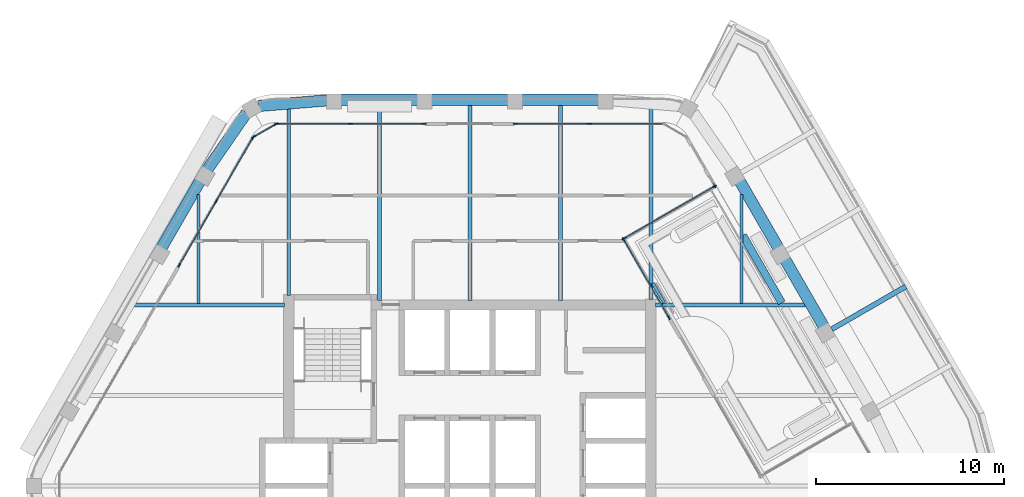
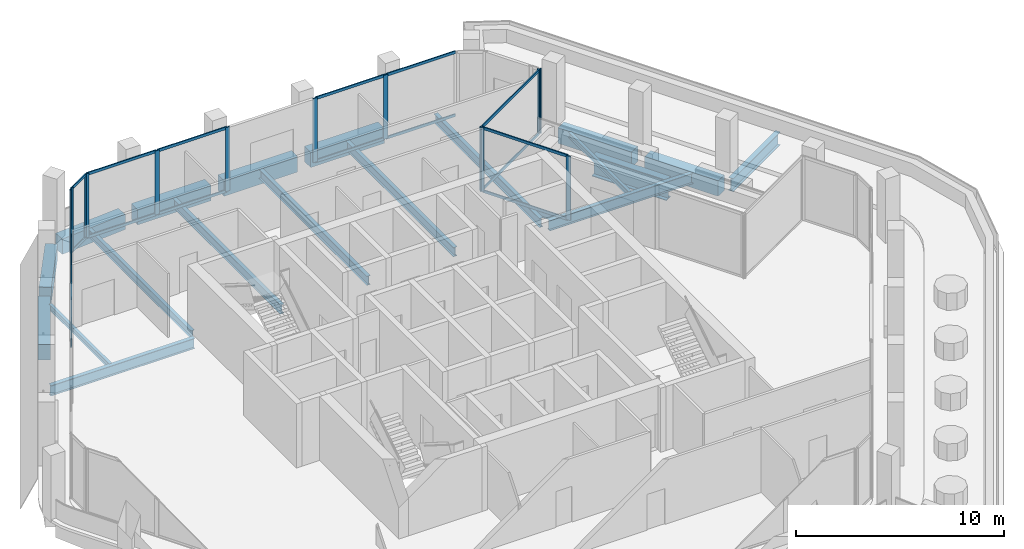
# One storey, part 6 of 17: 33 members, 20 beams, 7 elements without a shape of their own.
"""IFC4 building model written with IfcOpenShell, lengths in metres."""

from ifc_helpers import new_model, si_unit, direction, frame, origin, origin_2d, place, context, subcontext, project, spatial, rectangle, i_section, extrude, material, material_profile, profile_set, type_object, element, aggregate, save


model = new_model("IFC4")

# Units and contexts
model_context = context("Model", 3, precision=1e-05, world=origin(), true_north=direction((0.0, 1.0)))
body_context = subcontext(model_context, "Body", "Model", "MODEL_VIEW")
ifc_project = project(units=[si_unit("LENGTHUNIT", "METRE"), si_unit("AREAUNIT", "SQUARE_METRE"), si_unit("VOLUMEUNIT", "CUBIC_METRE"), si_unit("PLANEANGLEUNIT", "RADIAN"), si_unit("MASSUNIT", "GRAM", prefix="KILO")], contexts=[model_context])

# Site, building, storey
site_placement = place(None, origin())
site = spatial("IfcSite", under=ifc_project, at=site_placement, CompositionType="ELEMENT")
building_placement = place(site_placement, origin())
building = spatial("IfcBuilding", under=site, at=building_placement, Name="Kolab Exchange Tower", CompositionType="ELEMENT")
storey_placement = place(building_placement, frame((0.0, 0.0, 285.199951171875)))
storey = spatial("IfcBuildingStorey", under=building, at=storey_placement, Name="L64", CompositionType="ELEMENT", Elevation=285.199951171875)

# Beams
ifc_material_1 = material(Name="Steel S355", Category="steel")
ifc_material_profile_1 = material_profile(ifc_material_1, i_section(OverallWidth=0.39990234375, OverallDepth=1.199951171875, WebThickness=0.02490234375, FlangeThickness=0.0400390625, at=origin_2d()), Name="PG1200X400")
ifc_profile_set_1 = profile_set([ifc_material_profile_1], Name="Steel S355")
beam_type_1 = type_object("IfcBeamType", Name="FLOOR BEAM PG1200X400", PredefinedType="BEAM", material=ifc_profile_set_1)
beam_1_placement = place(storey_placement, frame((14.482421875, 13.286865234375, -0.75), z_axis=(0.500046874698, -0.865998338974, 0.0), x_axis=(0.865998338974, 0.500046874698, 0.0)))
element("IfcBeam", 1, at=beam_1_placement, inside=storey, type_object=beam_type_1, Name="beam/L64/fr/023", PredefinedType="BEAM", context=body_context, shape_type="SweptSolid", body=[
    extrude(i_section(OverallWidth=0.39990234375, OverallDepth=1.199951171875, WebThickness=0.02490234375, FlangeThickness=0.0400390625, at=origin_2d()), origin(), (0.0, 0.0, 1.0), 4.12548828125),
])
ifc_material_profile_2 = material_profile(ifc_material_1, i_section(OverallWidth=0.1650390625, OverallDepth=0.31005859375, WebThickness=0.005859375, FlangeThickness=0.009765625, at=origin_2d()), Name="W310X39")
ifc_profile_set_2 = profile_set([ifc_material_profile_2], Name="Steel S355")
beam_type_2 = type_object("IfcBeamType", Name="FLOOR BEAM W310X39", PredefinedType="BEAM", material=ifc_profile_set_2)
beam_2_placement = place(storey_placement, frame((-14.39990234375, 9.674072265625, -0.304931640625), z_axis=(0.0, 1.0, 0.0), x_axis=(-1.0, 0.0, 0.0)))
element("IfcBeam", 2, at=beam_2_placement, inside=storey, type_object=beam_type_2, Name="beam/L64/fr/004", PredefinedType="BEAM", context=body_context, shape_type="SweptSolid", body=[
    extrude(i_section(OverallWidth=0.1650390625, OverallDepth=0.31005859375, WebThickness=0.005859375, FlangeThickness=0.009765625, at=origin_2d()), origin(), (0.0, 0.0, 1.0), 5.793701171875),
])
beam_3_placement = place(storey_placement, frame((9.70458984375, 10.758544921875, -0.304931640625), z_axis=(0.500014506688, -0.866017028182, 0.0), x_axis=(0.866017028182, 0.500014506688, 0.0)))
element("IfcBeam", 3, at=beam_3_placement, inside=storey, type_object=beam_type_2, Name="beam/L64/fr/015", PredefinedType="BEAM", context=body_context, shape_type="SweptSolid", body=[
    extrude(i_section(OverallWidth=0.1650390625, OverallDepth=0.31005859375, WebThickness=0.005859375, FlangeThickness=0.009765625, at=origin_2d()), origin(), (0.0, 0.0, 1.0), 1.2060546875),
])
beam_4_placement = place(storey_placement, frame((14.39990234375, 9.674072265625, -0.304931640625), z_axis=(0.0, 1.0, 0.0), x_axis=(-1.0, 0.0, 0.0)))
element("IfcBeam", 4, at=beam_4_placement, inside=storey, type_object=beam_type_2, Name="beam/L64/fr/022", PredefinedType="BEAM", context=body_context, shape_type="SweptSolid", body=[
    extrude(i_section(OverallWidth=0.1650390625, OverallDepth=0.31005859375, WebThickness=0.005859375, FlangeThickness=0.009765625, at=origin_2d()), origin(), (0.0, 0.0, 1.0), 5.793701171875),
])
ifc_material_profile_3 = material_profile(ifc_material_1, i_section(OverallWidth=0.18994140625, OverallDepth=0.45703125, WebThickness=0.009033203125, FlangeThickness=0.014404296875, at=origin_2d()), Name="W460X74")
ifc_profile_set_3 = profile_set([ifc_material_profile_3], Name="Steel S355")
beam_type_3 = type_object("IfcBeamType", Name="FLOOR BEAM W460X74", PredefinedType="BEAM", material=ifc_profile_set_3)
beam_5_placement = place(storey_placement, frame((-9.60009765625, 10.110107421875, -0.37841796875), z_axis=(0.0, 1.0, 0.0), x_axis=(-1.0, 0.0, 0.0)))
element("IfcBeam", 5, at=beam_5_placement, inside=storey, type_object=beam_type_3, Name="beam/L64/fr/006", PredefinedType="BEAM", context=body_context, shape_type="SweptSolid", body=[
    extrude(i_section(OverallWidth=0.18994140625, OverallDepth=0.45703125, WebThickness=0.009033203125, FlangeThickness=0.014404296875, at=origin_2d()), origin(), (0.0, 0.0, 1.0), 9.9169921875),
])
ifc_material_profile_4 = material_profile(ifc_material_1, i_section(OverallWidth=0.208984375, OverallDepth=0.532958984375, WebThickness=0.01025390625, FlangeThickness=0.015625, at=origin_2d()), Name="W530X92")
ifc_profile_set_4 = profile_set([ifc_material_profile_4], Name="Steel S355")
beam_type_4 = type_object("IfcBeamType", Name="FLOOR BEAM W530X92", PredefinedType="BEAM", material=ifc_profile_set_4)
for number, where, z_axis, x_axis, name in (
    (6, (-4.800048828125, 9.8349609375, -0.41650390625), (0.0, 1.0, 0.0), (-1.0, 0.0, 0.0), "beam/L64/fr/008"),
    (7, (0.0, 9.8349609375, -0.41650390625), (0.0, 1.0, 0.0), (-1.0, 0.0, 0.0), "beam/L64/fr/010"),
    (8, (4.800048828125, 9.8349609375, -0.41650390625), (0.0, 1.0, 0.0), (-1.0, 0.0, 0.0), "beam/L64/fr/012"),
):
    element("IfcBeam", number, at=place(storey_placement, frame(where, z_axis=z_axis, x_axis=x_axis)), inside=storey, type_object=beam_type_4, Name=name, PredefinedType="BEAM", context=body_context, shape_type="SweptSolid", body=[
        extrude(i_section(OverallWidth=0.208984375, OverallDepth=0.532958984375, WebThickness=0.01025390625, FlangeThickness=0.015625, at=origin_2d()), origin(), (0.0, 0.0, 1.0), 10.3896484375),
    ])
beam_6_placement = place(storey_placement, frame((9.60009765625, 9.885009765625, -0.41650390625), z_axis=(0.0, 1.0, 0.0), x_axis=(-1.0, 0.0, 0.0)))
element("IfcBeam", 9, at=beam_6_placement, inside=storey, type_object=beam_type_4, Name="beam/L64/fr/014", PredefinedType="BEAM", context=body_context, shape_type="SweptSolid", body=[
    extrude(i_section(OverallWidth=0.208984375, OverallDepth=0.532958984375, WebThickness=0.01025390625, FlangeThickness=0.015625, at=origin_2d()), origin(), (0.0, 0.0, 1.0), 10.14208984375),
])
ifc_material_profile_5 = material_profile(ifc_material_1, i_section(OverallWidth=0.22802734375, OverallDepth=0.60791015625, WebThickness=0.01123046875, FlangeThickness=0.017333984375, at=origin_2d()), Name="W610X113")
ifc_profile_set_5 = profile_set([ifc_material_profile_5], Name="Steel S355")
beam_type_5 = type_object("IfcBeamType", Name="FLOOR GIRDER W610X113", PredefinedType="BEAM", material=ifc_profile_set_5)
for number, where, z_axis, x_axis, name in (
    (10, (-17.8046875, 9.60009765625, -0.453857421875), (1.0, 0.0, 0.0), (0.0, 1.0, 0.0), "beam/L64/gd/001"),
    (11, (9.8349609375, 9.60009765625, -0.453857421875), (1.0, 0.0, 0.0), (0.0, 1.0, 0.0), "beam/L64/gd/003"),
):
    element("IfcBeam", number, at=place(storey_placement, frame(where, z_axis=z_axis, x_axis=x_axis)), inside=storey, type_object=beam_type_5, Name=name, PredefinedType="BEAM", context=body_context, shape_type="SweptSolid", body=[
        extrude(i_section(OverallWidth=0.22802734375, OverallDepth=0.60791015625, WebThickness=0.01123046875, FlangeThickness=0.017333984375, at=origin_2d()), origin(), (0.0, 0.0, 1.0), 7.9697265625),
    ])
ifc_material_profile_6 = material_profile(ifc_material_1, i_section(OverallWidth=0.26708984375, OverallDepth=0.761962890625, WebThickness=0.014404296875, FlangeThickness=0.021484375, at=origin_2d()), Name="W760X173")
ifc_profile_set_6 = profile_set([ifc_material_profile_6], Name="Steel S355")
beam_type_6 = type_object("IfcBeamType", Name="FLOOR GIRDER W760X173", PredefinedType="BEAM", material=ifc_profile_set_6)
beam_7_placement = place(storey_placement, frame((19.199951171875, 8.313720703125, -0.591064453125), z_axis=(0.866020560687, 0.500008388397, 0.0), x_axis=(-0.500008388397, 0.866020560687, 0.0)))
element("IfcBeam", 12, at=beam_7_placement, inside=storey, type_object=beam_type_6, Name="beam/L64/ledge/rib-03", PredefinedType="BEAM", context=body_context, shape_type="SweptSolid", body=[
    extrude(i_section(OverallWidth=0.26708984375, OverallDepth=0.761962890625, WebThickness=0.014404296875, FlangeThickness=0.021484375, at=origin_2d()), origin(), (0.0, 0.0, 1.0), 4.533203125),
])
ifc_material_2 = material(Name="Concrete C50/60", Category="concrete")
ifc_material_profile_7 = material_profile(ifc_material_2, rectangle(XDim=0.60009765625, YDim=0.89990234375, at=origin_2d()), Name="RC600X900")
ifc_profile_set_7 = profile_set([ifc_material_profile_7], Name="Concrete C50/60")
beam_type_7 = type_object("IfcBeamType", Name="SPANDREL BEAM 600X900 C50/60", PredefinedType="BEAM", material=ifc_profile_set_7)
beam_8_placement = place(storey_placement, frame((-11.216796875, 20.15576171875, -0.599853515625), z_axis=(0.996666751878, 0.081580547323, 0.0), x_axis=(-0.081580547323, 0.996666751878, 0.0)))
element("IfcBeam", 13, at=beam_8_placement, inside=storey, type_object=beam_type_7, Name="beam/L64/sp/F1-01", PredefinedType="BEAM", context=body_context, shape_type="SweptSolid", body=[
    extrude(rectangle(XDim=0.60009765625, YDim=0.89990234375, at=origin_2d()), origin(), (0.0, 0.0, 1.0), 3.6689453125),
])
for number, where, z_axis, x_axis, name in (
    (14, (-6.840087890625, 20.484619140625, -0.599853515625), (1.0, 0.0, 0.0), (0.0, 1.0, 0.0), "beam/L64/sp/F1-02"),
    (15, (-2.0400390625, 20.484619140625, -0.599853515625), (1.0, 0.0, 0.0), (0.0, 1.0, 0.0), "beam/L64/sp/F1-03"),
    (16, (2.760009765625, 20.484619140625, -0.599853515625), (1.0, 0.0, 0.0), (0.0, 1.0, 0.0), "beam/L64/sp/F1-04"),
):
    element("IfcBeam", number, at=place(storey_placement, frame(where, z_axis=z_axis, x_axis=x_axis)), inside=storey, type_object=beam_type_7, Name=name, PredefinedType="BEAM", context=body_context, shape_type="SweptSolid", body=[
        extrude(rectangle(XDim=0.60009765625, YDim=0.89990234375, at=origin_2d()), origin(), (0.0, 0.0, 1.0), 4.080078125),
    ])
beam_9_placement = place(storey_placement, frame((14.3203125, 16.166015625, -0.599853515625), z_axis=(0.499955548806, -0.866051066172, 0.0), x_axis=(0.866051066172, 0.499955548806, 0.0)))
element("IfcBeam", 17, at=beam_9_placement, inside=storey, type_object=beam_type_7, Name="beam/L64/sp/F2-02", PredefinedType="BEAM", context=body_context, shape_type="SweptSolid", body=[
    extrude(rectangle(XDim=0.60009765625, YDim=0.89990234375, at=origin_2d()), origin(), (0.0, 0.0, 1.0), 4.079833984375),
])
beam_10_placement = place(storey_placement, frame((16.72021484375, 12.009033203125, -0.599853515625), z_axis=(0.500000428765, -0.866025156237, 0.0), x_axis=(0.866025156237, 0.500000428765, 0.0)))
element("IfcBeam", 18, at=beam_10_placement, inside=storey, type_object=beam_type_7, Name="beam/L64/sp/F2-03", PredefinedType="BEAM", context=body_context, shape_type="SweptSolid", body=[
    extrude(rectangle(XDim=0.60009765625, YDim=0.89990234375, at=origin_2d()), origin(), (0.0, 0.0, 1.0), 4.080078125),
])
beam_11_placement = place(storey_placement, frame((-16.360107421875, 12.632568359375, -0.599853515625), z_axis=(0.499955548806, 0.866051066172, 0.0), x_axis=(-0.866051066172, 0.499955548806, 0.0)))
element("IfcBeam", 19, at=beam_11_placement, inside=storey, type_object=beam_type_7, Name="beam/L64/sp/F6-04", PredefinedType="BEAM", context=body_context, shape_type="SweptSolid", body=[
    extrude(rectangle(XDim=0.60009765625, YDim=0.89990234375, at=origin_2d()), origin(), (0.0, 0.0, 1.0), 4.079833984375),
])
beam_12_placement = place(storey_placement, frame((-13.9345703125, 16.77490234375, -0.599853515625), z_axis=(0.569005808573, 0.822333502789, 0.0), x_axis=(-0.822333502789, 0.569005808573, 0.0)))
element("IfcBeam", 20, at=beam_12_placement, inside=storey, type_object=beam_type_7, Name="beam/L64/sp/F6-05", PredefinedType="BEAM", context=body_context, shape_type="SweptSolid", body=[
    extrude(rectangle(XDim=0.60009765625, YDim=0.89990234375, at=origin_2d()), origin(), (0.0, 0.0, 1.0), 3.6689453125),
])

# Curtain wall, members
ifc_material_3 = material(Name="Aluminium EN AW-6063 T6", Category="aluminium")
curtain_wall_type = type_object("IfcCurtainWallType", Name="UNITISED HIGH ZONE CURTAIN WALL", PredefinedType="NOTDEFINED", material=ifc_material_3)
curtain_wall_1_placement = place(storey_placement, origin())
curtain_wall_1 = element("IfcCurtainWall", 21, at=curtain_wall_1_placement, inside=storey, type_object=curtain_wall_type, Name="cw/L64/F1-1", PredefinedType="NOTDEFINED")
ifc_material_profile_8 = material_profile(ifc_material_3, rectangle(XDim=0.06005859375, YDim=0.239990234375, at=origin_2d()), Name="RECT 60X240")
ifc_profile_set_8 = profile_set([ifc_material_profile_8], Name="Aluminium EN AW-6063 T6")
member_type_1 = type_object("IfcMemberType", Name="UNITISED HIGH ZONE MULLION 60 X 240", PredefinedType="MULLION", material=ifc_profile_set_8)
member_1_placement = place(storey_placement, frame((-10.238037109375, 19.20458984375, 0.0), z_axis=(0.0, 0.0, 1.0), x_axis=(0.0, 1.0, 0.0)))
member_1 = element("IfcMember", 22, at=member_1_placement, type_object=member_type_1, Name="CW4 mullion 1", PredefinedType="MULLION", context=body_context, shape_type="SweptSolid", body=[
    extrude(rectangle(XDim=0.06005859375, YDim=0.239990234375, at=origin_2d()), origin(), (0.0, 0.0, 1.0), 3.75),
])
member_2_placement = place(storey_placement, frame((-6.333984375, 19.20458984375, 0.0), z_axis=(0.0, 0.0, 1.0), x_axis=(0.0, 1.0, 0.0)))
member_2 = element("IfcMember", 23, at=member_2_placement, type_object=member_type_1, Name="CW4 mullion 2", PredefinedType="MULLION", context=body_context, shape_type="SweptSolid", body=[
    extrude(rectangle(XDim=0.06005859375, YDim=0.239990234375, at=origin_2d()), origin(), (0.0, 0.0, 1.0), 3.75),
])
member_3_placement = place(storey_placement, frame((-2.429931640625, 19.20458984375, 0.0), z_axis=(0.0, 0.0, 1.0), x_axis=(0.0, 1.0, 0.0)))
member_3 = element("IfcMember", 24, at=member_3_placement, type_object=member_type_1, Name="CW4 mullion 3", PredefinedType="MULLION", context=body_context, shape_type="SweptSolid", body=[
    extrude(rectangle(XDim=0.06005859375, YDim=0.239990234375, at=origin_2d()), origin(), (0.0, 0.0, 1.0), 3.75),
])

curtain_wall_2_placement = place(storey_placement, origin())
curtain_wall_2 = element("IfcCurtainWall", 25, at=curtain_wall_2_placement, inside=storey, type_object=curtain_wall_type, Name="cw/L64/F1-2", PredefinedType="NOTDEFINED")
member_4_placement = place(storey_placement, frame((2.429931640625, 19.20458984375, 0.0), z_axis=(0.0, 0.0, 1.0), x_axis=(0.0, 1.0, 0.0)))
member_4 = element("IfcMember", 26, at=member_4_placement, type_object=member_type_1, Name="CW4 mullion 1", PredefinedType="MULLION", context=body_context, shape_type="SweptSolid", body=[
    extrude(rectangle(XDim=0.06005859375, YDim=0.239990234375, at=origin_2d()), origin(), (0.0, 0.0, 1.0), 3.75),
])
member_5_placement = place(storey_placement, frame((6.333984375, 19.20458984375, 0.0), z_axis=(0.0, 0.0, 1.0), x_axis=(0.0, 1.0, 0.0)))
member_5 = element("IfcMember", 27, at=member_5_placement, type_object=member_type_1, Name="CW4 mullion 2", PredefinedType="MULLION", context=body_context, shape_type="SweptSolid", body=[
    extrude(rectangle(XDim=0.06005859375, YDim=0.239990234375, at=origin_2d()), origin(), (0.0, 0.0, 1.0), 3.75),
])

# Curtain wall, member
curtain_wall_3_placement = place(storey_placement, origin())
curtain_wall_3 = element("IfcCurtainWall", 28, at=curtain_wall_3_placement, inside=storey, type_object=curtain_wall_type, Name="cw/L64/F2-l-1", PredefinedType="NOTDEFINED")
member_6_placement = place(storey_placement, frame((12.9765625, 15.932861328125, 0.0), z_axis=(0.0, 0.0, 1.0), x_axis=(0.866025350788, 0.500000091793, 0.0)))
member_6 = element("IfcMember", 29, at=member_6_placement, type_object=member_type_1, Name="CW4 mullion 2", PredefinedType="MULLION", context=body_context, shape_type="SweptSolid", body=[
    extrude(rectangle(XDim=0.06005859375, YDim=0.239990234375, at=origin_2d()), origin(), (0.0, 0.0, 1.0), 3.75),
])
aggregate(curtain_wall_3, [member_6])

# Curtain wall, members
curtain_wall_4_placement = place(storey_placement, origin())
curtain_wall_4 = element("IfcCurtainWall", 30, at=curtain_wall_4_placement, inside=storey, type_object=curtain_wall_type, Name="cw/L64/F2-rl-1", PredefinedType="NOTDEFINED")
member_7_placement = place(storey_placement, frame((12.9658203125, 15.89208984375, 0.0), z_axis=(0.0, 0.0, 1.0), x_axis=(0.500000020194, -0.866025392126, 0.0)))
member_7 = element("IfcMember", 31, at=member_7_placement, type_object=member_type_1, Name="CW4 mullion 1", PredefinedType="MULLION", context=body_context, shape_type="SweptSolid", body=[
    extrude(rectangle(XDim=0.06005859375, YDim=0.239990234375, at=origin_2d()), origin(), (0.0, 0.0, 1.0), 3.75),
])
member_8_placement = place(storey_placement, frame((8.16796875, 13.1220703125, 0.0), z_axis=(0.0, 0.0, 1.0), x_axis=(0.500000020194, -0.866025392126, 0.0)))
member_8 = element("IfcMember", 32, at=member_8_placement, type_object=member_type_1, Name="CW4 mullion 2", PredefinedType="MULLION", context=body_context, shape_type="SweptSolid", body=[
    extrude(rectangle(XDim=0.06005859375, YDim=0.239990234375, at=origin_2d()), origin(), (0.0, 0.0, 1.0), 3.75),
])

curtain_wall_5_placement = place(storey_placement, origin())
curtain_wall_5 = element("IfcCurtainWall", 33, at=curtain_wall_5_placement, inside=storey, type_object=curtain_wall_type, Name="cw/L64/F2-back-1", PredefinedType="NOTDEFINED")
member_9_placement = place(storey_placement, frame((8.156982421875, 13.0810546875, 0.0), z_axis=(0.0, 0.0, 1.0), x_axis=(0.866025376121, 0.500000047915, 0.0)))
member_9 = element("IfcMember", 34, at=member_9_placement, type_object=member_type_1, Name="CW4 mullion 1", PredefinedType="MULLION", context=body_context, shape_type="SweptSolid", body=[
    extrude(rectangle(XDim=0.06005859375, YDim=0.239990234375, at=origin_2d()), origin(), (0.0, 0.0, 1.0), 3.75),
])
member_10_placement = place(storey_placement, frame((10.5537109375, 8.929931640625, 0.0), z_axis=(0.0, 0.0, 1.0), x_axis=(0.866025376121, 0.500000047915, 0.0)))
member_10 = element("IfcMember", 35, at=member_10_placement, type_object=member_type_1, Name="CW4 mullion 2", PredefinedType="MULLION", context=body_context, shape_type="SweptSolid", body=[
    extrude(rectangle(XDim=0.06005859375, YDim=0.239990234375, at=origin_2d()), origin(), (0.0, 0.0, 1.0), 3.75),
])

curtain_wall_6_placement = place(storey_placement, origin())
curtain_wall_6 = element("IfcCurtainWall", 36, at=curtain_wall_6_placement, inside=storey, type_object=curtain_wall_type, Name="cw/L64/F6-2", PredefinedType="NOTDEFINED")
member_11_placement = place(storey_placement, frame((-15.416748046875, 11.706787109375, 0.0), z_axis=(0.0, 0.0, 1.0), x_axis=(-0.866025385493, 0.500000031681, 0.0)))
member_11 = element("IfcMember", 37, at=member_11_placement, type_object=member_type_1, Name="CW4 mullion 1", PredefinedType="MULLION", context=body_context, shape_type="SweptSolid", body=[
    extrude(rectangle(XDim=0.06005859375, YDim=0.239990234375, at=origin_2d()), origin(), (0.0, 0.0, 1.0), 3.75),
])
member_12_placement = place(storey_placement, frame((-13.464599609375, 15.087646484375, 0.0), z_axis=(0.0, 0.0, 1.0), x_axis=(-0.866025385493, 0.500000031681, 0.0)))
member_12 = element("IfcMember", 38, at=member_12_placement, type_object=member_type_1, Name="CW4 mullion 2", PredefinedType="MULLION", context=body_context, shape_type="SweptSolid", body=[
    extrude(rectangle(XDim=0.06005859375, YDim=0.239990234375, at=origin_2d()), origin(), (0.0, 0.0, 1.0), 3.75),
])
member_13_placement = place(storey_placement, frame((-11.5126953125, 18.46875, 0.0), z_axis=(0.0, 0.0, 1.0), x_axis=(-0.866025385493, 0.500000031681, 0.0)))
member_13 = element("IfcMember", 39, at=member_13_placement, type_object=member_type_1, Name="CW4 mullion 3", PredefinedType="MULLION", context=body_context, shape_type="SweptSolid", body=[
    extrude(rectangle(XDim=0.06005859375, YDim=0.239990234375, at=origin_2d()), origin(), (0.0, 0.0, 1.0), 3.75),
])

curtain_wall_7_placement = place(storey_placement, origin())
curtain_wall_7 = element("IfcCurtainWall", 40, at=curtain_wall_7_placement, inside=storey, type_object=curtain_wall_type, Name="cw/L64/F6F1-corner", PredefinedType="NOTDEFINED")
member_14_placement = place(storey_placement, frame((-11.4716796875, 18.509521484375, 0.0), z_axis=(0.0, 0.0, 1.0), x_axis=(-0.50000002237, 0.866025390869, 0.0)))
member_14 = element("IfcMember", 41, at=member_14_placement, type_object=member_type_1, Name="CW4 mullion 1", PredefinedType="MULLION", context=body_context, shape_type="SweptSolid", body=[
    extrude(rectangle(XDim=0.06005859375, YDim=0.239990234375, at=origin_2d()), origin(), (0.0, 0.0, 1.0), 3.75),
])
member_15_placement = place(storey_placement, frame((-10.2939453125, 19.189697265625, 0.0), z_axis=(0.0, 0.0, 1.0), x_axis=(-0.50000002237, 0.866025390869, 0.0)))
member_15 = element("IfcMember", 42, at=member_15_placement, type_object=member_type_1, Name="CW4 mullion 2", PredefinedType="MULLION", context=body_context, shape_type="SweptSolid", body=[
    extrude(rectangle(XDim=0.06005859375, YDim=0.239990234375, at=origin_2d()), origin(), (0.0, 0.0, 1.0), 3.75),
])

# Member
ifc_material_profile_9 = material_profile(ifc_material_3, rectangle(XDim=0.06005859375, YDim=0.159912109375, at=origin_2d()), Name="RECT 60X160")
ifc_profile_set_9 = profile_set([ifc_material_profile_9], Name="Aluminium EN AW-6063 T6")
member_type_2 = type_object("IfcMemberType", Name="UNITISED HIGH ZONE TRANSOM 60 X 160", PredefinedType="USERDEFINED", material=ifc_profile_set_9)
member_16_placement = place(storey_placement, frame((-10.2080078125, 19.20458984375, 0.030029296875), z_axis=(1.0, 0.0, 0.0), x_axis=(0.0, 1.0, 0.0)))
member_16 = element("IfcMember", 43, at=member_16_placement, type_object=member_type_2, Name="CW4 transom 1.1", ObjectType="TRANSOM", PredefinedType="USERDEFINED", context=body_context, shape_type="SweptSolid", body=[
    extrude(rectangle(XDim=0.06005859375, YDim=0.159912109375, at=origin_2d()), origin(), (0.0, 0.0, 1.0), 3.843994140625),
])

member_17_placement = place(storey_placement, frame((-10.2080078125, 19.20458984375, 3.719970703125), z_axis=(1.0, 0.0, 0.0), x_axis=(0.0, 1.0, 0.0)))
member_17 = element("IfcMember", 44, at=member_17_placement, type_object=member_type_2, Name="CW4 transom 1.2", ObjectType="TRANSOM", PredefinedType="USERDEFINED", context=body_context, shape_type="SweptSolid", body=[
    extrude(rectangle(XDim=0.06005859375, YDim=0.159912109375, at=origin_2d()), origin(), (0.0, 0.0, 1.0), 3.843994140625),
])

member_18_placement = place(storey_placement, frame((-6.303955078125, 19.20458984375, 0.030029296875), z_axis=(1.0, 0.0, 0.0), x_axis=(0.0, 1.0, 0.0)))
member_18 = element("IfcMember", 45, at=member_18_placement, type_object=member_type_2, Name="CW4 transom 2.1", ObjectType="TRANSOM", PredefinedType="USERDEFINED", context=body_context, shape_type="SweptSolid", body=[
    extrude(rectangle(XDim=0.06005859375, YDim=0.159912109375, at=origin_2d()), origin(), (0.0, 0.0, 1.0), 3.843994140625),
])

member_19_placement = place(storey_placement, frame((-6.303955078125, 19.20458984375, 3.719970703125), z_axis=(1.0, 0.0, 0.0), x_axis=(0.0, 1.0, 0.0)))
member_19 = element("IfcMember", 46, at=member_19_placement, type_object=member_type_2, Name="CW4 transom 2.2", ObjectType="TRANSOM", PredefinedType="USERDEFINED", context=body_context, shape_type="SweptSolid", body=[
    extrude(rectangle(XDim=0.06005859375, YDim=0.159912109375, at=origin_2d()), origin(), (0.0, 0.0, 1.0), 3.843994140625),
])

aggregate(curtain_wall_1, [member_1, member_2, member_3, member_16, member_17, member_18, member_19])

member_20_placement = place(storey_placement, frame((2.4599609375, 19.20458984375, 0.030029296875), z_axis=(1.0, 0.0, 0.0), x_axis=(0.0, 1.0, 0.0)))
member_20 = element("IfcMember", 47, at=member_20_placement, type_object=member_type_2, Name="CW4 transom 1.1", ObjectType="TRANSOM", PredefinedType="USERDEFINED", context=body_context, shape_type="SweptSolid", body=[
    extrude(rectangle(XDim=0.06005859375, YDim=0.159912109375, at=origin_2d()), origin(), (0.0, 0.0, 1.0), 3.843994140625),
])

member_21_placement = place(storey_placement, frame((2.4599609375, 19.20458984375, 3.719970703125), z_axis=(1.0, 0.0, 0.0), x_axis=(0.0, 1.0, 0.0)))
member_21 = element("IfcMember", 48, at=member_21_placement, type_object=member_type_2, Name="CW4 transom 1.2", ObjectType="TRANSOM", PredefinedType="USERDEFINED", context=body_context, shape_type="SweptSolid", body=[
    extrude(rectangle(XDim=0.06005859375, YDim=0.159912109375, at=origin_2d()), origin(), (0.0, 0.0, 1.0), 3.843994140625),
])

member_22_placement = place(storey_placement, frame((6.364013671875, 19.20458984375, 0.030029296875), z_axis=(1.0, 0.0, 0.0), x_axis=(0.0, 1.0, 0.0)))
member_22 = element("IfcMember", 49, at=member_22_placement, type_object=member_type_2, Name="CW4 transom 2.1", ObjectType="TRANSOM", PredefinedType="USERDEFINED", context=body_context, shape_type="SweptSolid", body=[
    extrude(rectangle(XDim=0.06005859375, YDim=0.159912109375, at=origin_2d()), origin(), (0.0, 0.0, 1.0), 3.843994140625),
])

member_23_placement = place(storey_placement, frame((6.364013671875, 19.20458984375, 3.719970703125), z_axis=(1.0, 0.0, 0.0), x_axis=(0.0, 1.0, 0.0)))
member_23 = element("IfcMember", 50, at=member_23_placement, type_object=member_type_2, Name="CW4 transom 2.2", ObjectType="TRANSOM", PredefinedType="USERDEFINED", context=body_context, shape_type="SweptSolid", body=[
    extrude(rectangle(XDim=0.06005859375, YDim=0.159912109375, at=origin_2d()), origin(), (0.0, 0.0, 1.0), 3.843994140625),
])

aggregate(curtain_wall_2, [member_4, member_5, member_20, member_21, member_22, member_23])

member_24_placement = place(storey_placement, frame((12.939697265625, 15.876953125, 0.030029296875), z_axis=(-0.866027562125, -0.499996261625, 0.0), x_axis=(0.499996261625, -0.866027562125, 0.0)))
member_24 = element("IfcMember", 51, at=member_24_placement, type_object=member_type_2, Name="CW4 transom 1.1", ObjectType="TRANSOM", PredefinedType="USERDEFINED", context=body_context, shape_type="SweptSolid", body=[
    extrude(rectangle(XDim=0.06005859375, YDim=0.159912109375, at=origin_2d()), origin(), (0.0, 0.0, 1.0), 5.47998046875),
])

member_25_placement = place(storey_placement, frame((12.939697265625, 15.876953125, 3.719970703125), z_axis=(-0.866027562125, -0.499996261625, 0.0), x_axis=(0.499996261625, -0.866027562125, 0.0)))
member_25 = element("IfcMember", 52, at=member_25_placement, type_object=member_type_2, Name="CW4 transom 1.2", ObjectType="TRANSOM", PredefinedType="USERDEFINED", context=body_context, shape_type="SweptSolid", body=[
    extrude(rectangle(XDim=0.06005859375, YDim=0.159912109375, at=origin_2d()), origin(), (0.0, 0.0, 1.0), 5.47998046875),
])

aggregate(curtain_wall_4, [member_7, member_8, member_24, member_25])

member_26_placement = place(storey_placement, frame((8.171875, 13.054931640625, 0.030029296875), z_axis=(0.500011179042, -0.866018949465, 0.0), x_axis=(0.866018949465, 0.500011179042, 0.0)))
member_26 = element("IfcMember", 53, at=member_26_placement, type_object=member_type_2, Name="CW4 transom 1.1", ObjectType="TRANSOM", PredefinedType="USERDEFINED", context=body_context, shape_type="SweptSolid", body=[
    extrude(rectangle(XDim=0.06005859375, YDim=0.159912109375, at=origin_2d()), origin(), (0.0, 0.0, 1.0), 4.7333984375),
])

member_27_placement = place(storey_placement, frame((8.171875, 13.054931640625, 3.719970703125), z_axis=(0.500011179042, -0.866018949465, 0.0), x_axis=(0.866018949465, 0.500011179042, 0.0)))
member_27 = element("IfcMember", 54, at=member_27_placement, type_object=member_type_2, Name="CW4 transom 1.2", ObjectType="TRANSOM", PredefinedType="USERDEFINED", context=body_context, shape_type="SweptSolid", body=[
    extrude(rectangle(XDim=0.06005859375, YDim=0.159912109375, at=origin_2d()), origin(), (0.0, 0.0, 1.0), 4.7333984375),
])

aggregate(curtain_wall_5, [member_9, member_10, member_26, member_27])

member_28_placement = place(storey_placement, frame((-15.401611328125, 11.732666015625, 0.030029296875), z_axis=(0.499964356602, 0.866045981532, 0.0), x_axis=(-0.866045981532, 0.499964356602, 0.0)))
member_28 = element("IfcMember", 55, at=member_28_placement, type_object=member_type_2, Name="CW4 transom 1.1", ObjectType="TRANSOM", PredefinedType="USERDEFINED", context=body_context, shape_type="SweptSolid", body=[
    extrude(rectangle(XDim=0.06005859375, YDim=0.159912109375, at=origin_2d()), origin(), (0.0, 0.0, 1.0), 3.843994140625),
])

member_29_placement = place(storey_placement, frame((-15.401611328125, 11.732666015625, 3.719970703125), z_axis=(0.499964356602, 0.866045981532, 0.0), x_axis=(-0.866045981532, 0.499964356602, 0.0)))
member_29 = element("IfcMember", 56, at=member_29_placement, type_object=member_type_2, Name="CW4 transom 1.2", ObjectType="TRANSOM", PredefinedType="USERDEFINED", context=body_context, shape_type="SweptSolid", body=[
    extrude(rectangle(XDim=0.06005859375, YDim=0.159912109375, at=origin_2d()), origin(), (0.0, 0.0, 1.0), 3.843994140625),
])

member_30_placement = place(storey_placement, frame((-13.44970703125, 15.11376953125, 0.030029296875), z_axis=(0.500039492609, 0.866002601515, 0.0), x_axis=(-0.866002601515, 0.500039492609, 0.0)))
member_30 = element("IfcMember", 57, at=member_30_placement, type_object=member_type_2, Name="CW4 transom 2.1", ObjectType="TRANSOM", PredefinedType="USERDEFINED", context=body_context, shape_type="SweptSolid", body=[
    extrude(rectangle(XDim=0.06005859375, YDim=0.159912109375, at=origin_2d()), origin(), (0.0, 0.0, 1.0), 3.843994140625),
])

member_31_placement = place(storey_placement, frame((-13.44970703125, 15.11376953125, 3.719970703125), z_axis=(0.500039492609, 0.866002601515, 0.0), x_axis=(-0.866002601515, 0.500039492609, 0.0)))
member_31 = element("IfcMember", 58, at=member_31_placement, type_object=member_type_2, Name="CW4 transom 2.2", ObjectType="TRANSOM", PredefinedType="USERDEFINED", context=body_context, shape_type="SweptSolid", body=[
    extrude(rectangle(XDim=0.06005859375, YDim=0.159912109375, at=origin_2d()), origin(), (0.0, 0.0, 1.0), 3.843994140625),
])

aggregate(curtain_wall_6, [member_11, member_12, member_13, member_28, member_29, member_30, member_31])

member_32_placement = place(storey_placement, frame((-11.44580078125, 18.524658203125, 0.030029296875), z_axis=(0.866085525409, 0.49989585183, 0.0), x_axis=(-0.49989585183, 0.866085525409, 0.0)))
member_32 = element("IfcMember", 59, at=member_32_placement, type_object=member_type_2, Name="CW4 transom 1.1", ObjectType="TRANSOM", PredefinedType="USERDEFINED", context=body_context, shape_type="SweptSolid", body=[
    extrude(rectangle(XDim=0.06005859375, YDim=0.159912109375, at=origin_2d()), origin(), (0.0, 0.0, 1.0), 1.300048828125),
])

member_33_placement = place(storey_placement, frame((-11.44580078125, 18.524658203125, 3.719970703125), z_axis=(0.866085525409, 0.49989585183, 0.0), x_axis=(-0.49989585183, 0.866085525409, 0.0)))
member_33 = element("IfcMember", 60, at=member_33_placement, type_object=member_type_2, Name="CW4 transom 1.2", ObjectType="TRANSOM", PredefinedType="USERDEFINED", context=body_context, shape_type="SweptSolid", body=[
    extrude(rectangle(XDim=0.06005859375, YDim=0.159912109375, at=origin_2d()), origin(), (0.0, 0.0, 1.0), 1.300048828125),
])

aggregate(curtain_wall_7, [member_14, member_15, member_32, member_33])

save(model, "model.ifc")
